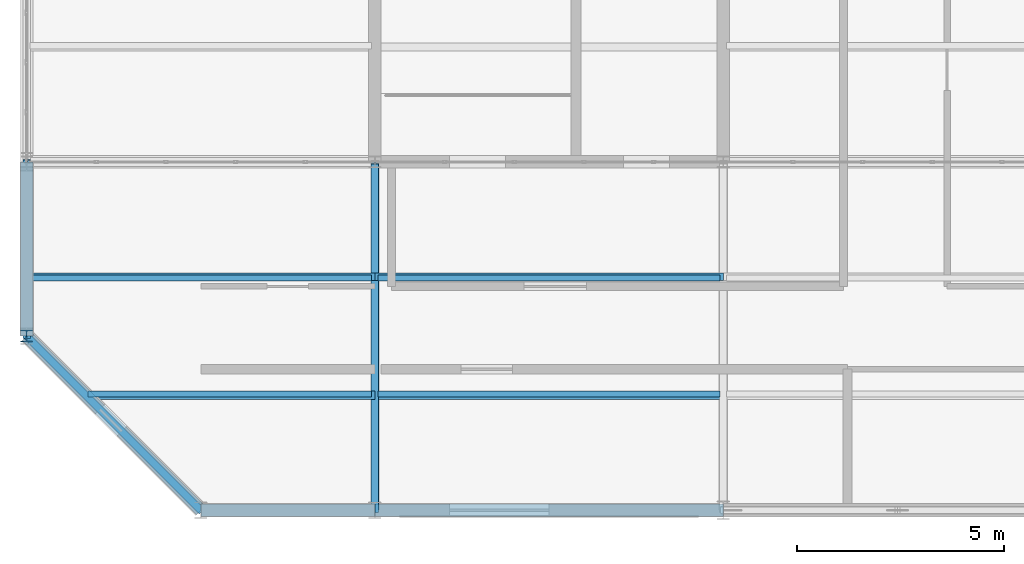
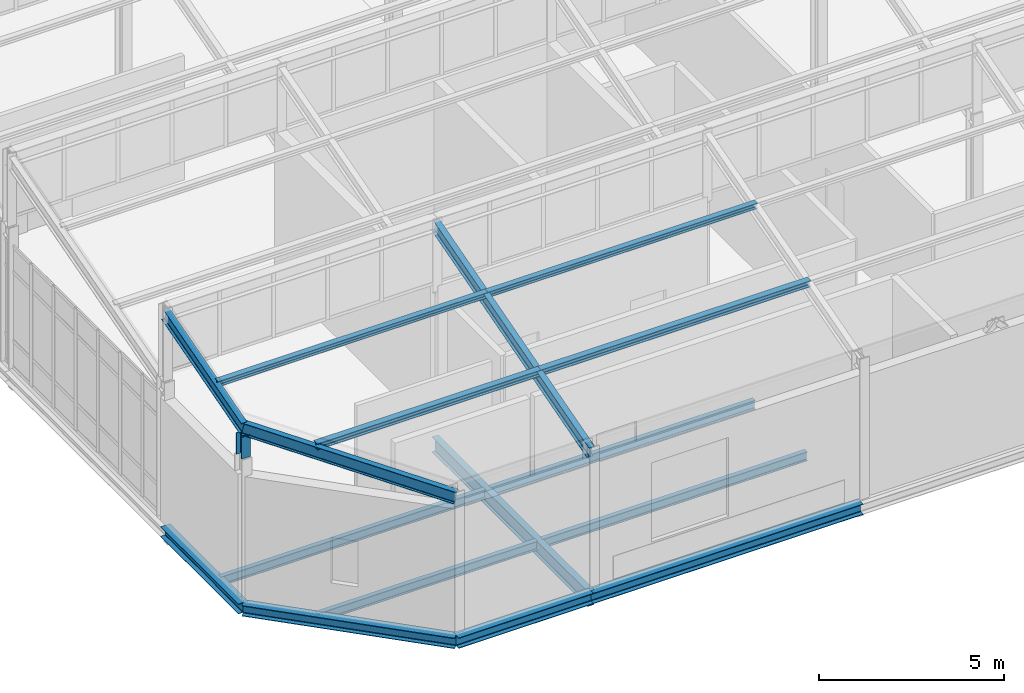
# One storey, part 5 of 53: 12 beams, 4 members, 1 column.
"""IFC4 building model written with IfcOpenShell, lengths in metres."""

from ifc_helpers import new_model, si_unit, direction, frame, origin, origin_2d, place, context, subcontext, project, spatial, i_section, extrude, material, material_profile, profile_set, type_object, element, save


model = new_model("IFC4")

# Units and contexts
model_context = context("Model", 3, precision=1e-05, world=origin(), true_north=direction((0.0, 1.0)))
body_context = subcontext(model_context, "Body", "Model", "MODEL_VIEW")
ifc_project = project(units=[si_unit("LENGTHUNIT", "METRE"), si_unit("AREAUNIT", "SQUARE_METRE"), si_unit("VOLUMEUNIT", "CUBIC_METRE"), si_unit("PLANEANGLEUNIT", "RADIAN"), si_unit("MASSUNIT", "GRAM", prefix="KILO")], contexts=[model_context])

# Site, building, storey
site_placement = place(None, origin())
site = spatial("IfcSite", under=ifc_project, at=site_placement, CompositionType="ELEMENT")
building_placement = place(site_placement, origin())
building = spatial("IfcBuilding", under=site, at=building_placement, Name="Qalvenar Corner Mobility Hub", CompositionType="ELEMENT")
storey_placement = place(building_placement, frame((0.0, 0.0, 26.39990234375)))
storey = spatial("IfcBuildingStorey", under=building, at=storey_placement, Name="L06", CompositionType="ELEMENT", Elevation=26.39990234375)

# Column
ifc_material = material(Name="Steel S355", Category="steel")
ifc_material_profile_1 = material_profile(ifc_material, i_section(OverallWidth=0.280029296875, OverallDepth=0.280029296875, WebThickness=0.010498046875, FlangeThickness=0.01806640625, FilletRadius=0.02392578125, at=origin_2d()), Name="HEB280")
ifc_profile_set_1 = profile_set([ifc_material_profile_1], Name="Steel S355")
column_type = type_object("IfcColumnType", Name="COL-HEB280", PredefinedType="COLUMN", material=ifc_profile_set_1)
column_placement = place(storey_placement, frame((0.0, 4.199951171875, 4.630126953125), z_axis=(0.0, 0.0, 1.0), x_axis=(1.0, 0.0, 0.0)))
element("IfcColumn", 1, at=column_placement, inside=storey, type_object=column_type, Name="Sawtooth Splay Roof Post V3R-SPL-W", PredefinedType="COLUMN", context=body_context, shape_type="SweptSolid", body=[
    extrude(i_section(OverallWidth=0.280029296875, OverallDepth=0.280029296875, WebThickness=0.010498046875, FlangeThickness=0.01806640625, FilletRadius=0.02392578125, at=origin_2d()), origin(), (0.0, 0.0, 1.0), 0.7099609375),
])

# Beams
ifc_material_profile_2 = material_profile(ifc_material, i_section(OverallWidth=0.179931640625, OverallDepth=0.39990234375, WebThickness=0.008544921875, FlangeThickness=0.013427734375, FilletRadius=0.02099609375, at=origin_2d()), Name="IPE400")
ifc_profile_set_2 = profile_set([ifc_material_profile_2], Name="Steel S355")
beam_type_1 = type_object("IfcBeamType", Name="BM-IPE400", PredefinedType="BEAM", material=ifc_profile_set_2)
beam_1_placement = place(storey_placement, frame((4.199951171875, 0.0, 4.340087890625), z_axis=(-0.693104070067, 0.693104070067, 0.19802397863), x_axis=(-0.707106781187, -0.707106781187, 0.0)))
element("IfcBeam", 2, at=beam_1_placement, inside=storey, type_object=beam_type_1, Name="Sawtooth Splay Rafter V3RF-SPL-1", PredefinedType="BEAM", context=body_context, shape_type="SweptSolid", body=[
    extrude(i_section(OverallWidth=0.179931640625, OverallDepth=0.39990234375, WebThickness=0.008544921875, FlangeThickness=0.013427734375, FilletRadius=0.02099609375, at=origin_2d()), origin(), (0.0, 0.0, 1.0), 6.0595703125),
])
beam_2_placement = place(storey_placement, frame((0.0, 4.199951171875, 5.5400390625), z_axis=(0.0, 0.96152605678, 0.274713745804), x_axis=(-1.0, 0.0, 0.0)))
element("IfcBeam", 3, at=beam_2_placement, inside=storey, type_object=beam_type_1, Name="Sawtooth Rafter V3RF-1-1", PredefinedType="BEAM", context=body_context, shape_type="SweptSolid", body=[
    extrude(i_section(OverallWidth=0.179931640625, OverallDepth=0.39990234375, WebThickness=0.008544921875, FlangeThickness=0.013427734375, FilletRadius=0.02099609375, at=origin_2d()), origin(), (0.0, 0.0, 1.0), 4.367919921875),
])
beam_3_placement = place(storey_placement, frame((8.39990234375, 0.0, 4.340087890625), z_axis=(0.0, 0.96152605678, 0.274713745804), x_axis=(-1.0, 0.0, 0.0)))
element("IfcBeam", 4, at=beam_3_placement, inside=storey, type_object=beam_type_1, Name="Sawtooth Rafter V3RF-1-2", PredefinedType="BEAM", context=body_context, shape_type="SweptSolid", body=[
    extrude(i_section(OverallWidth=0.179931640625, OverallDepth=0.39990234375, WebThickness=0.008544921875, FlangeThickness=0.013427734375, FilletRadius=0.02099609375, at=origin_2d()), origin(), (0.0, 0.0, 1.0), 8.736083984375),
])
ifc_material_profile_3 = material_profile(ifc_material, i_section(OverallWidth=0.199951171875, OverallDepth=0.5, WebThickness=0.01025390625, FlangeThickness=0.01611328125, FilletRadius=0.02099609375, at=origin_2d()), Name="IPE500")
ifc_profile_set_3 = profile_set([ifc_material_profile_3], Name="Steel S355")
beam_type_2 = type_object("IfcBeamType", Name="BM-IPE500", PredefinedType="BEAM", material=ifc_profile_set_3)
beam_4_placement = place(storey_placement, frame((8.39990234375, 0.0, -0.469970703125), z_axis=(0.0, 1.0, 0.0), x_axis=(-1.0, 0.0, 0.0)))
element("IfcBeam", 5, at=beam_4_placement, inside=storey, type_object=beam_type_2, Name="Primary Steel Girder GY-3081", PredefinedType="BEAM", context=body_context, shape_type="SweptSolid", body=[
    extrude(i_section(OverallWidth=0.199951171875, OverallDepth=0.5, WebThickness=0.01025390625, FlangeThickness=0.01611328125, FilletRadius=0.02099609375, at=origin_2d()), origin(), (0.0, 0.0, 1.0), 8.39990234375),
])
ifc_material_profile_4 = material_profile(ifc_material, i_section(OverallWidth=0.14990234375, OverallDepth=0.300048828125, WebThickness=0.007080078125, FlangeThickness=0.0107421875, FilletRadius=0.014892578125, at=origin_2d()), Name="IPE300")
ifc_profile_set_4 = profile_set([ifc_material_profile_4], Name="Steel S355")
beam_type_3 = type_object("IfcBeamType", Name="BM-JST300", PredefinedType="JOIST", material=ifc_profile_set_4)
beam_5_placement = place(storey_placement, frame((1.47802734375, 2.800048828125, -0.369873046875), z_axis=(1.0, 0.0, 0.0), x_axis=(0.0, 1.0, 0.0)))
element("IfcBeam", 6, at=beam_5_placement, inside=storey, type_object=beam_type_3, Name="Composite Floor Joist J-3102", PredefinedType="JOIST", context=body_context, shape_type="SweptSolid", body=[
    extrude(i_section(OverallWidth=0.14990234375, OverallDepth=0.300048828125, WebThickness=0.007080078125, FlangeThickness=0.0107421875, FilletRadius=0.014892578125, at=origin_2d()), origin(), (0.0, 0.0, 1.0), 6.843994140625),
])
beam_6_placement = place(storey_placement, frame((0.077880859375, 5.60009765625, -0.369873046875), z_axis=(1.0, 0.0, 0.0), x_axis=(0.0, 1.0, 0.0)))
element("IfcBeam", 7, at=beam_6_placement, inside=storey, type_object=beam_type_3, Name="Composite Floor Joist J-3103", PredefinedType="JOIST", context=body_context, shape_type="SweptSolid", body=[
    extrude(i_section(OverallWidth=0.14990234375, OverallDepth=0.300048828125, WebThickness=0.007080078125, FlangeThickness=0.0107421875, FilletRadius=0.014892578125, at=origin_2d()), origin(), (0.0, 0.0, 1.0), 8.244140625),
])
for number, where, z_axis, x_axis, name in (
    (8, (8.47802734375, 2.800048828125, -0.369873046875), (1.0, 0.0, 0.0), (0.0, 1.0, 0.0), "Composite Floor Joist J-3110"),
    (9, (8.47802734375, 5.60009765625, -0.369873046875), (1.0, 0.0, 0.0), (0.0, 1.0, 0.0), "Composite Floor Joist J-3111"),
):
    element("IfcBeam", number, at=place(storey_placement, frame(where, z_axis=z_axis, x_axis=x_axis)), inside=storey, type_object=beam_type_3, Name=name, PredefinedType="JOIST", context=body_context, shape_type="SweptSolid", body=[
        extrude(i_section(OverallWidth=0.14990234375, OverallDepth=0.300048828125, WebThickness=0.007080078125, FlangeThickness=0.0107421875, FilletRadius=0.014892578125, at=origin_2d()), origin(), (0.0, 0.0, 1.0), 8.243896484375),
    ])
ifc_material_profile_5 = material_profile(ifc_material, i_section(OverallWidth=0.300048828125, OverallDepth=0.330078125, WebThickness=0.009521484375, FlangeThickness=0.0166015625, FilletRadius=0.027099609375, at=origin_2d()), Name="HEA340")
ifc_profile_set_5 = profile_set([ifc_material_profile_5], Name="Steel S355")
beam_type_4 = type_object("IfcBeamType", Name="BM-SPN340", PredefinedType="SPANDREL", material=ifc_profile_set_5)
beam_7_placement = place(storey_placement, frame((0.0, 4.199951171875, -0.385009765625), z_axis=(0.0, 1.0, 0.0), x_axis=(-1.0, 0.0, 0.0)))
element("IfcBeam", 10, at=beam_7_placement, inside=storey, type_object=beam_type_4, Name="Primary Steel Girder GY-3077", PredefinedType="SPANDREL", context=body_context, shape_type="SweptSolid", body=[
    extrude(i_section(OverallWidth=0.300048828125, OverallDepth=0.330078125, WebThickness=0.009521484375, FlangeThickness=0.0166015625, FilletRadius=0.027099609375, at=origin_2d()), origin(), (0.0, 0.0, 1.0), 4.199951171875),
])
ifc_material_profile_6 = material_profile(ifc_material, i_section(OverallWidth=0.300048828125, OverallDepth=0.35009765625, WebThickness=0.010009765625, FlangeThickness=0.017578125, FilletRadius=0.027099609375, at=origin_2d()), Name="HEA360")
ifc_profile_set_6 = profile_set([ifc_material_profile_6], Name="Steel S355")
beam_type_5 = type_object("IfcBeamType", Name="BM-SPN360", PredefinedType="SPANDREL", material=ifc_profile_set_6)
beam_8_placement = place(storey_placement, frame((4.199951171875, 0.0, -0.39501953125), z_axis=(1.0, 0.0, 0.0), x_axis=(0.0, 1.0, 0.0)))
element("IfcBeam", 11, at=beam_8_placement, inside=storey, type_object=beam_type_5, Name="Primary Steel Girder GX-3052", PredefinedType="SPANDREL", context=body_context, shape_type="SweptSolid", body=[
    extrude(i_section(OverallWidth=0.300048828125, OverallDepth=0.35009765625, WebThickness=0.010009765625, FlangeThickness=0.017578125, FilletRadius=0.027099609375, at=origin_2d()), origin(), (0.0, 0.0, 1.0), 4.199951171875),
])
beam_9_placement = place(storey_placement, frame((8.39990234375, 0.0, -0.39501953125), z_axis=(1.0, 0.0, 0.0), x_axis=(0.0, 1.0, 0.0)))
element("IfcBeam", 12, at=beam_9_placement, inside=storey, type_object=beam_type_5, Name="Primary Steel Girder GX-3053", PredefinedType="SPANDREL", context=body_context, shape_type="SweptSolid", body=[
    extrude(i_section(OverallWidth=0.300048828125, OverallDepth=0.35009765625, WebThickness=0.010009765625, FlangeThickness=0.017578125, FilletRadius=0.027099609375, at=origin_2d()), origin(), (0.0, 0.0, 1.0), 8.400146484375),
])
beam_10_placement = place(storey_placement, frame((4.199951171875, 0.0, -0.39501953125), z_axis=(-0.707106781187, 0.707106781187, 0.0), x_axis=(-0.707106781187, -0.707106781187, 0.0)))
element("IfcBeam", 13, at=beam_10_placement, inside=storey, type_object=beam_type_5, Name="Corner Splay Spandrel Girder GSPL-3101", PredefinedType="SPANDREL", context=body_context, shape_type="SweptSolid", body=[
    extrude(i_section(OverallWidth=0.300048828125, OverallDepth=0.35009765625, WebThickness=0.010009765625, FlangeThickness=0.017578125, FilletRadius=0.027099609375, at=origin_2d()), origin(), (0.0, 0.0, 1.0), 5.939697265625),
])

# Members
ifc_material_profile_7 = material_profile(ifc_material, i_section(OverallWidth=0.179931640625, OverallDepth=0.179931640625, WebThickness=0.008544921875, FlangeThickness=0.013916015625, FilletRadius=0.014892578125, at=origin_2d()), Name="HEB180")
ifc_profile_set_7 = profile_set([ifc_material_profile_7], Name="Steel S355")
member_type_1 = type_object("IfcMemberType", Name="PR-RHS180", PredefinedType="PURLIN", material=ifc_profile_set_7)
member_1_placement = place(storey_placement, frame((0.0, 5.6279296875, 6.148193359375), z_axis=(1.0, 0.0, 0.0), x_axis=(0.0, 1.0, 0.0)))
element("IfcMember", 14, at=member_1_placement, inside=storey, type_object=member_type_1, Name="Sawtooth Roof Purlin PR-V3-1-1-67", PredefinedType="PURLIN", context=body_context, shape_type="SweptSolid", body=[
    extrude(i_section(OverallWidth=0.179931640625, OverallDepth=0.179931640625, WebThickness=0.008544921875, FlangeThickness=0.013916015625, FilletRadius=0.014892578125, at=origin_2d()), origin(), (0.0, 0.0, 1.0), 8.39990234375),
])
member_2_placement = place(storey_placement, frame((8.39990234375, 5.6279296875, 6.148193359375), z_axis=(1.0, 0.0, 0.0), x_axis=(0.0, 1.0, 0.0)))
element("IfcMember", 15, at=member_2_placement, inside=storey, type_object=member_type_1, Name="Sawtooth Roof Purlin PR-V3-1-2-67", PredefinedType="PURLIN", context=body_context, shape_type="SweptSolid", body=[
    extrude(i_section(OverallWidth=0.179931640625, OverallDepth=0.179931640625, WebThickness=0.008544921875, FlangeThickness=0.013916015625, FilletRadius=0.014892578125, at=origin_2d()), origin(), (0.0, 0.0, 1.0), 8.400146484375),
])
ifc_material_profile_8 = material_profile(ifc_material, i_section(OverallWidth=0.199951171875, OverallDepth=0.199951171875, WebThickness=0.009033203125, FlangeThickness=0.014892578125, FilletRadius=0.01806640625, at=origin_2d()), Name="HEB200")
ifc_profile_set_8 = profile_set([ifc_material_profile_8], Name="Steel S355")
member_type_2 = type_object("IfcMemberType", Name="PR-RHS200", PredefinedType="PURLIN", material=ifc_profile_set_8)
member_3_placement = place(storey_placement, frame((1.427978515625, 2.77197265625, 5.322021484375), z_axis=(1.0, 0.0, 0.0), x_axis=(0.0, 1.0, 0.0)))
element("IfcMember", 16, at=member_3_placement, inside=storey, type_object=member_type_2, Name="Sawtooth Roof Purlin PR-V3-1-1-33", PredefinedType="PURLIN", context=body_context, shape_type="SweptSolid", body=[
    extrude(i_section(OverallWidth=0.199951171875, OverallDepth=0.199951171875, WebThickness=0.009033203125, FlangeThickness=0.014892578125, FilletRadius=0.01806640625, at=origin_2d()), origin(), (0.0, 0.0, 1.0), 6.971923828125),
])
member_4_placement = place(storey_placement, frame((8.39990234375, 2.77197265625, 5.322021484375), z_axis=(1.0, 0.0, 0.0), x_axis=(0.0, 1.0, 0.0)))
element("IfcMember", 17, at=member_4_placement, inside=storey, type_object=member_type_2, Name="Sawtooth Roof Purlin PR-V3-1-2-33", PredefinedType="PURLIN", context=body_context, shape_type="SweptSolid", body=[
    extrude(i_section(OverallWidth=0.199951171875, OverallDepth=0.199951171875, WebThickness=0.009033203125, FlangeThickness=0.014892578125, FilletRadius=0.01806640625, at=origin_2d()), origin(), (0.0, 0.0, 1.0), 8.400146484375),
])

save(model, "model.ifc")
